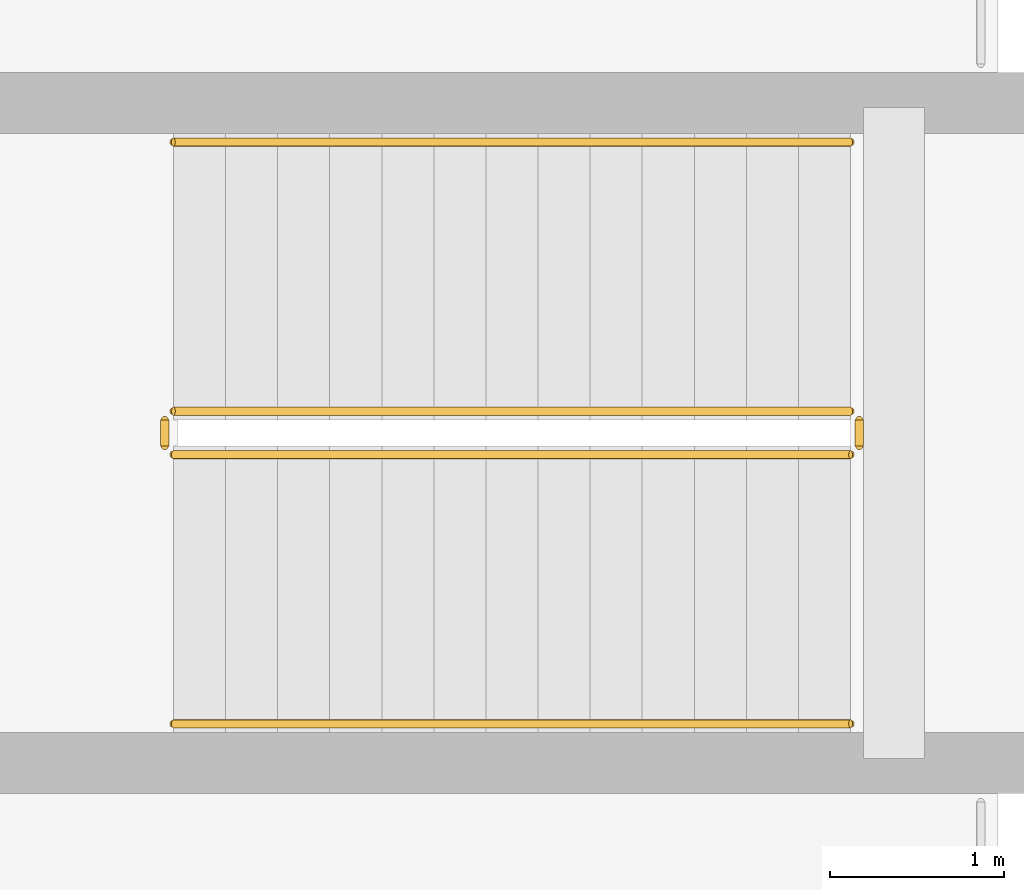
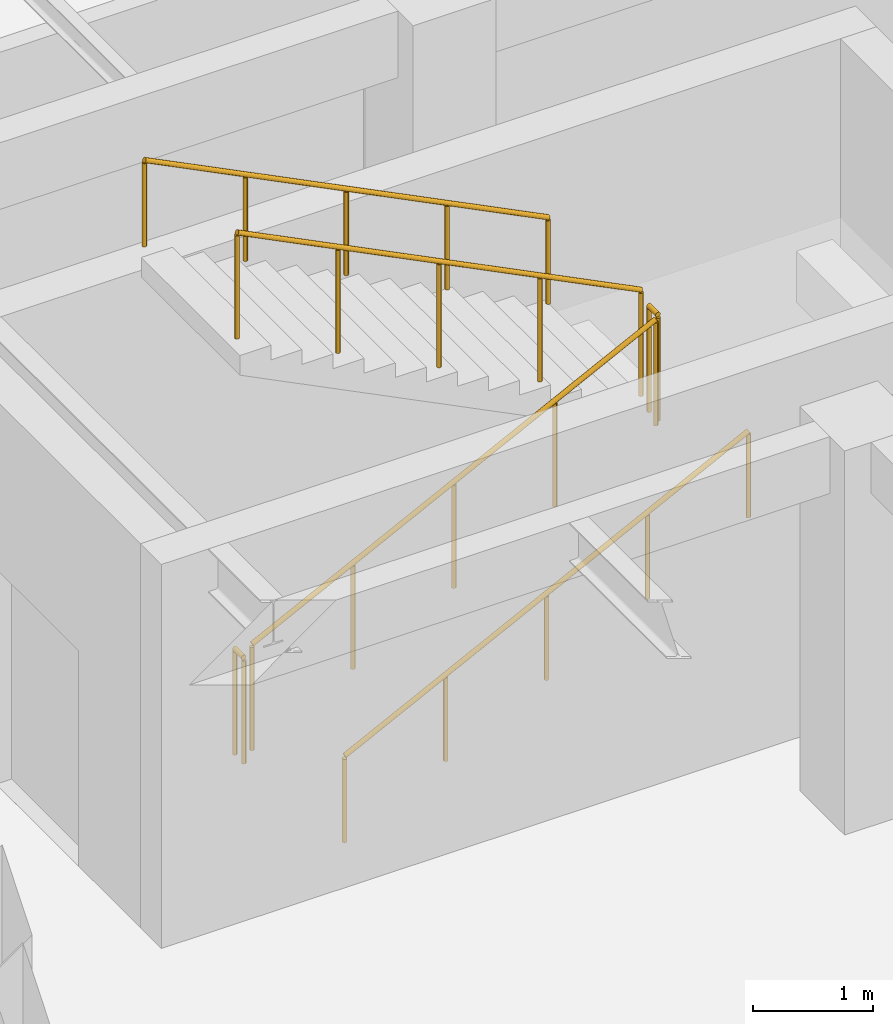
# One storey, part 151 of 170: 6 railings.
"""IFC4 building model written with IfcOpenShell, lengths in metres."""

import ifcopenshell
import ifcopenshell.guid

model = None  # the IFC model being written
_history = None  # IfcOwnerHistory: only IFC2X3 demands one
_inside = {}  # id of a spatial element -> (the spatial element, [elements in it])
_under = {}  # id of a project, library or spatial element -> (it, [spatial elements below it])
_declared = {}  # id of a project -> (the project, [libraries it declares])
_typed = {}  # id of a type object -> (the type object, [elements of that type])
_made_of = {}  # id of a material, layer set ... -> (it, [elements and type objects made of it])


def new_model(schema):
    """Start an empty IFC model of exactly this schema.

    Asked for "IFC4X3", IfcOpenShell would pick the latest addendum, in which some entities
    have other attributes; the version numbers below select the first issue.
    IFC2X3 requires an IfcOwnerHistory on every rooted entity: one is made here for all.
    """
    global model, _history
    if schema == "IFC4X3":
        model = ifcopenshell.file(schema_version=(4, 3, 0, 0))
    else:
        model = ifcopenshell.file(schema=schema)
    _inside.clear()
    _under.clear()
    _declared.clear()
    _typed.clear()
    _made_of.clear()
    _history = None
    if model.schema == "IFC2X3":
        org = make("IfcOrganization", Name="unknown")
        user = make(
            "IfcPersonAndOrganization",
            ThePerson=make("IfcPerson", FamilyName="unknown"),
            TheOrganization=org,
        )
        app = make(
            "IfcApplication",
            ApplicationDeveloper=org,
            Version="unknown",
            ApplicationFullName="unknown",
            ApplicationIdentifier="unknown",
        )
        _history = make(
            "IfcOwnerHistory",
            OwningUser=user,
            OwningApplication=app,
            ChangeAction="ADDED",
            CreationDate=0,
        )
    return model


def make(cls, **values):
    """One entity of the class cls with the attributes given. An attribute that is None is left unset."""
    return model.create_entity(
        cls, **{name: value for name, value in values.items() if value is not None}
    )


def rooted(cls, **values):
    """An entity with a GlobalId (a new one), such as an element, a storey or a relation."""
    return make(cls, GlobalId=ifcopenshell.guid.new(), OwnerHistory=_history, **values)


def si_unit(unit_type, name, prefix=None):
    """IfcSIUnit, for example si_unit("LENGTHUNIT", "METRE", prefix="MILLI")."""
    return make("IfcSIUnit", UnitType=unit_type, Prefix=prefix, Name=name)


def assignment(units):
    """IfcUnitAssignment: the units of a project."""
    return None if units is None else make("IfcUnitAssignment", Units=units)


def point(xyz):
    """IfcCartesianPoint."""
    return None if xyz is None else make("IfcCartesianPoint", Coordinates=xyz)


def direction(xyz):
    """IfcDirection."""
    return None if xyz is None else make("IfcDirection", DirectionRatios=xyz)


def frame(location, z_axis=None, x_axis=None):
    """IfcAxis2Placement3D, a coordinate frame: its origin and axes. An axis left out is left unset."""
    return make(
        "IfcAxis2Placement3D",
        Location=point(location),
        Axis=direction(z_axis),
        RefDirection=direction(x_axis),
    )


def frame_2d(location, x_axis=None):
    """IfcAxis2Placement2D, a coordinate frame in the plane: its origin and x axis."""
    return make(
        "IfcAxis2Placement2D", Location=point(location), RefDirection=direction(x_axis)
    )


def origin():
    """The frame at (0, 0, 0) with its axes left unset."""
    return frame((0.0, 0.0, 0.0))


def origin_2d():
    """The frame at (0, 0) in the plane with its x axis left unset."""
    return frame_2d((0.0, 0.0))


def place(relative_to, where):
    """IfcLocalPlacement: puts the frame where relative to a parent placement (None: the world)."""
    return make(
        "IfcLocalPlacement", PlacementRelTo=relative_to, RelativePlacement=where
    )


def context(
    kind, dimensions, precision=None, world=None, true_north=None, identifier=None
):
    """IfcGeometricRepresentationContext, for example the 3D "Model" context."""
    return make(
        "IfcGeometricRepresentationContext",
        ContextIdentifier=identifier,
        ContextType=kind,
        CoordinateSpaceDimension=dimensions,
        Precision=precision,
        WorldCoordinateSystem=world,
        TrueNorth=true_north,
    )


def subcontext(parent, identifier, kind, view, scale=None):
    """IfcGeometricRepresentationSubContext, for example "Body" below "Model"."""
    return make(
        "IfcGeometricRepresentationSubContext",
        ContextIdentifier=identifier,
        ContextType=kind,
        ParentContext=parent,
        TargetScale=scale,
        TargetView=view,
    )


def project(units=None, contexts=None):
    """IfcProject with its units and contexts."""
    return rooted(
        "IfcProject",
        Name="project",
        RepresentationContexts=contexts,
        UnitsInContext=assignment(units),
    )


def spatial(cls, under=None, at=None, **own):
    """A site, building, storey or space (cls), placed at a placement, below another one or the project."""
    s = rooted(cls, ObjectPlacement=at, **own)
    if under is not None:
        _under.setdefault(under.id(), (under, []))[1].append(s)
    return s


def profile(cls, at=None, kind="AREA", **sizes):
    """A parametric profile (cls). Its sizes go by their IFC names, for example OverallWidth=200.0."""
    return make(cls, ProfileType=kind, Position=at, **sizes)


def circle(**sizes):
    """IfcCircleProfileDef."""
    return profile("IfcCircleProfileDef", **sizes)


def extrude(swept, where, along, depth):
    """IfcExtrudedAreaSolid: the profile swept, set in the frame where, extruded along a direction by depth."""
    return make(
        "IfcExtrudedAreaSolid",
        SweptArea=swept,
        Position=where,
        ExtrudedDirection=direction(along),
        Depth=depth,
    )


def shape(context_of_items, identifier, shape_type, items):
    """IfcShapeRepresentation: the items that make up one representation, for example the "Body"."""
    return make(
        "IfcShapeRepresentation",
        ContextOfItems=context_of_items,
        RepresentationIdentifier=identifier,
        RepresentationType=shape_type,
        Items=items,
    )


def material(Name=None, Category=None):
    """IfcMaterial."""
    return make("IfcMaterial", Name=Name, Category=Category)


def made_of(thing, what):
    """Note that an element or type object is made of a material, layer set ...; save() writes the relation."""
    if what is not None:
        _made_of.setdefault(what.id(), (what, []))[1].append(thing)
    return thing


def type_object(cls, material=None, **own):
    """A type object (cls), such as IfcWallType, which elements share."""
    return made_of(rooted(cls, **own), material)


def element(
    cls,
    number,
    at=None,
    inside=None,
    cuts=None,
    type_object=None,
    material=None,
    context=None,
    identifier="Body",
    shape_type=None,
    held_by="IfcProductDefinitionShape",
    body=None,
    shapes=None,
    **own,
):
    """One element of the class cls, such as IfcWall. Its Tag is "e" and its number.

    at: its placement. inside: the storey or other place that contains it. cuts: it is an
    opening in that element (IfcRelVoidsElement). A single representation is given by context,
    identifier, shape_type and body (its items); several are given by shapes. held_by: the class
    of the entity that holds the representations. save() writes the other relations.
    """
    e = rooted(cls, Tag="e%d" % number, ObjectPlacement=at, **own)
    if body is not None:
        shapes = [shape(context, identifier, shape_type, body)]
    if shapes is not None:
        e.Representation = make(held_by, Representations=shapes)
    if inside is not None:
        _inside.setdefault(inside.id(), (inside, []))[1].append(e)
    if cuts is not None:
        rooted(
            "IfcRelVoidsElement", RelatingBuildingElement=cuts, RelatedOpeningElement=e
        )
    if type_object is not None:
        _typed.setdefault(type_object.id(), (type_object, []))[1].append(e)
    return made_of(e, material)


def aggregate(whole, parts):
    """IfcRelAggregates: a whole, such as a stair, and the parts it consists of."""
    return rooted("IfcRelAggregates", RelatingObject=whole, RelatedObjects=parts)


def save(model, path):
    """Write the relations noted so far, then the file.

    IfcRelAggregates (storeys below a building ...), IfcRelContainedInSpatialStructure (elements
    in a storey), IfcRelDefinesByType, IfcRelAssociatesMaterial and IfcRelDeclares: one each for
    every whole, place, type object, material and project.
    """
    for whole, parts in _under.values():
        aggregate(whole, parts)
    for where, things in _inside.values():
        rooted(
            "IfcRelContainedInSpatialStructure",
            RelatedElements=things,
            RelatingStructure=where,
        )
    for kind, things in _typed.values():
        rooted("IfcRelDefinesByType", RelatedObjects=things, RelatingType=kind)
    for what, things in _made_of.values():
        rooted("IfcRelAssociatesMaterial", RelatedObjects=things, RelatingMaterial=what)
    for by, libraries in _declared.values():
        rooted("IfcRelDeclares", RelatingContext=by, RelatedDefinitions=libraries)
    model.write(path)


model = new_model("IFC4")

# Units and contexts
model_context = context("Model", 3, precision=1e-05, world=origin(), true_north=direction((0.0, 1.0)))
body_context = subcontext(model_context, "Body", "Model", "MODEL_VIEW")
ifc_project = project(units=[si_unit("LENGTHUNIT", "METRE"), si_unit("AREAUNIT", "SQUARE_METRE"), si_unit("VOLUMEUNIT", "CUBIC_METRE"), si_unit("PLANEANGLEUNIT", "RADIAN"), si_unit("MASSUNIT", "GRAM", prefix="KILO")], contexts=[model_context])

# Site, building, storey
site_placement = place(None, origin())
site = spatial("IfcSite", under=ifc_project, at=site_placement, CompositionType="ELEMENT")
building_placement = place(site_placement, origin())
building = spatial("IfcBuilding", under=site, at=building_placement, Name="Mazaris Harbour Polytechnic", CompositionType="ELEMENT")
storey_placement = place(building_placement, frame((0.0, 0.0, 5.39990234375)))
storey = spatial("IfcBuildingStorey", under=building, at=storey_placement, Name="L01", CompositionType="ELEMENT", Elevation=5.39990234375)

# Railings
ifc_material_1 = material(Name="Stainless Steel S355", Category="steel")
railing_type_1 = type_object("IfcRailingType", Name="Stair Wall Handrail 900", PredefinedType="HANDRAIL", material=ifc_material_1)
railing_1_placement = place(storey_placement, frame((58.25, 23.050048828125, 0.150146484375)))
element("IfcRailing", 1, at=railing_1_placement, inside=storey, type_object=railing_type_1, Name="L01 ST05 stair handrail 1", PredefinedType="HANDRAIL", context=body_context, shape_type="SweptSolid", body=[
    extrude(circle(Radius=0.02392578125, at=origin_2d()), frame((0.0, 0.0, 0.8759765625), z_axis=(0.894427191, 0.0, 0.4472135955), x_axis=(0.0, 1.0, 0.0)), (0.0, 0.0, 1.0), 4.360107421875),
    extrude(circle(Radius=0.02099609375, at=origin_2d()), origin(), (0.0, 0.0, 1.0), 0.851806640625),
    extrude(circle(Radius=0.02099609375, at=origin_2d()), frame((0.97509765625, 0.0, 0.487548828125)), (0.0, 0.0, 1.0), 0.851806640625),
    extrude(circle(Radius=0.02099609375, at=origin_2d()), frame((1.949951171875, 0.0, 0.97509765625)), (0.0, 0.0, 1.0), 0.851806640625),
    extrude(circle(Radius=0.02099609375, at=origin_2d()), frame((2.9248046875, 0.0, 1.46240234375)), (0.0, 0.0, 1.0), 0.851806640625),
    extrude(circle(Radius=0.02099609375, at=origin_2d()), frame((3.89990234375, 0.0, 1.949951171875)), (0.0, 0.0, 1.0), 0.851806640625),
])
railing_2_placement = place(storey_placement, frame((62.14990234375, 26.39990234375, 2.25)))
element("IfcRailing", 2, at=railing_2_placement, inside=storey, type_object=railing_type_1, Name="L01 ST05 stair handrail 2", PredefinedType="HANDRAIL", context=body_context, shape_type="SweptSolid", body=[
    extrude(circle(Radius=0.02392578125, at=origin_2d()), frame((0.0, 0.0, 0.8759765625), z_axis=(-0.894404793364, 0.0, 0.447258387967), x_axis=(0.0, -1.0, 0.0)), (0.0, 0.0, 1.0), 4.3603515625),
    extrude(circle(Radius=0.02099609375, at=origin_2d()), origin(), (0.0, 0.0, 1.0), 0.851806640625),
    extrude(circle(Radius=0.02099609375, at=origin_2d()), frame((-0.97509765625, 0.0, 0.487548828125)), (0.0, 0.0, 1.0), 0.851806640625),
    extrude(circle(Radius=0.02099609375, at=origin_2d()), frame((-1.949951171875, 0.0, 0.97509765625)), (0.0, 0.0, 1.0), 0.851806640625),
    extrude(circle(Radius=0.02099609375, at=origin_2d()), frame((-2.9248046875, 0.0, 1.462646484375)), (0.0, 0.0, 1.0), 0.851806640625),
    extrude(circle(Radius=0.02099609375, at=origin_2d()), frame((-3.89990234375, 0.0, 1.9501953125)), (0.0, 0.0, 1.0), 0.851806640625),
])
ifc_material_2 = material(Name="Steel S355", Category="steel")
railing_type_2 = type_object("IfcRailingType", Name="Stair Well Guardrail 1100", PredefinedType="GUARDRAIL", material=ifc_material_2)
railing_3_placement = place(storey_placement, frame((58.25, 24.60009765625, 0.150146484375)))
element("IfcRailing", 3, at=railing_3_placement, inside=storey, type_object=railing_type_2, Name="L01 ST05 stair guard 1", PredefinedType="GUARDRAIL", context=body_context, shape_type="SweptSolid", body=[
    extrude(circle(Radius=0.02392578125, at=origin_2d()), frame((0.0, 0.0, 1.076171875), z_axis=(0.894427191, 0.0, 0.4472135955), x_axis=(0.0, 1.0, 0.0)), (0.0, 0.0, 1.0), 4.360107421875),
    extrude(circle(Radius=0.02099609375, at=origin_2d()), origin(), (0.0, 0.0, 1.0), 1.052001953125),
    extrude(circle(Radius=0.02099609375, at=origin_2d()), frame((0.97509765625, 0.0, 0.487548828125)), (0.0, 0.0, 1.0), 1.052001953125),
    extrude(circle(Radius=0.02099609375, at=origin_2d()), frame((1.949951171875, 0.0, 0.97509765625)), (0.0, 0.0, 1.0), 1.052001953125),
    extrude(circle(Radius=0.02099609375, at=origin_2d()), frame((2.9248046875, 0.0, 1.46240234375)), (0.0, 0.0, 1.0), 1.052001953125),
    extrude(circle(Radius=0.02099609375, at=origin_2d()), frame((3.89990234375, 0.0, 1.949951171875)), (0.0, 0.0, 1.0), 1.052001953125),
])
railing_4_placement = place(storey_placement, frame((62.199951171875, 24.64990234375, 2.10009765625)))
element("IfcRailing", 4, at=railing_4_placement, inside=storey, type_object=railing_type_2, Name="L01 ST05 stair guard 2", PredefinedType="GUARDRAIL", context=body_context, shape_type="SweptSolid", body=[
    extrude(circle(Radius=0.02392578125, at=origin_2d()), frame((0.0, 0.0, 1.076171875), z_axis=(0.0, 1.0, 0.0), x_axis=(-1.0, 0.0, 0.0)), (0.0, 0.0, 1.0), 0.150146484375),
    extrude(circle(Radius=0.02099609375, at=origin_2d()), origin(), (0.0, 0.0, 1.0), 1.052001953125),
    extrude(circle(Radius=0.02099609375, at=origin_2d()), frame((0.0, 0.150146484375, 0.0)), (0.0, 0.0, 1.0), 1.052001953125),
])
railing_5_placement = place(storey_placement, frame((62.14990234375, 24.85009765625, 2.25)))
element("IfcRailing", 5, at=railing_5_placement, inside=storey, type_object=railing_type_2, Name="L01 ST05 stair guard 3", PredefinedType="GUARDRAIL", context=body_context, shape_type="SweptSolid", body=[
    extrude(circle(Radius=0.02392578125, at=origin_2d()), frame((0.0, 0.0, 1.076171875), z_axis=(-0.894404793364, 0.0, 0.447258387967), x_axis=(0.0, -1.0, 0.0)), (0.0, 0.0, 1.0), 4.3603515625),
    extrude(circle(Radius=0.02099609375, at=origin_2d()), origin(), (0.0, 0.0, 1.0), 1.052001953125),
    extrude(circle(Radius=0.02099609375, at=origin_2d()), frame((-0.97509765625, 0.0, 0.487548828125)), (0.0, 0.0, 1.0), 1.052001953125),
    extrude(circle(Radius=0.02099609375, at=origin_2d()), frame((-1.949951171875, 0.0, 0.97509765625)), (0.0, 0.0, 1.0), 1.052001953125),
    extrude(circle(Radius=0.02099609375, at=origin_2d()), frame((-2.9248046875, 0.0, 1.462646484375)), (0.0, 0.0, 1.0), 1.052001953125),
    extrude(circle(Radius=0.02099609375, at=origin_2d()), frame((-3.89990234375, 0.0, 1.9501953125)), (0.0, 0.0, 1.0), 1.052001953125),
])
railing_6_placement = place(storey_placement, frame((58.199951171875, 24.64990234375, 0.0)))
element("IfcRailing", 6, at=railing_6_placement, inside=storey, type_object=railing_type_2, Name="L01 ST05 stair guard 4", PredefinedType="GUARDRAIL", context=body_context, shape_type="SweptSolid", body=[
    extrude(circle(Radius=0.02392578125, at=origin_2d()), frame((0.0, 0.0, 1.076171875), z_axis=(0.0, 1.0, 0.0), x_axis=(-1.0, 0.0, 0.0)), (0.0, 0.0, 1.0), 0.150146484375),
    extrude(circle(Radius=0.02099609375, at=origin_2d()), origin(), (0.0, 0.0, 1.0), 1.052001953125),
    extrude(circle(Radius=0.02099609375, at=origin_2d()), frame((0.0, 0.150146484375, 0.0)), (0.0, 0.0, 1.0), 1.052001953125),
])

save(model, "model.ifc")
